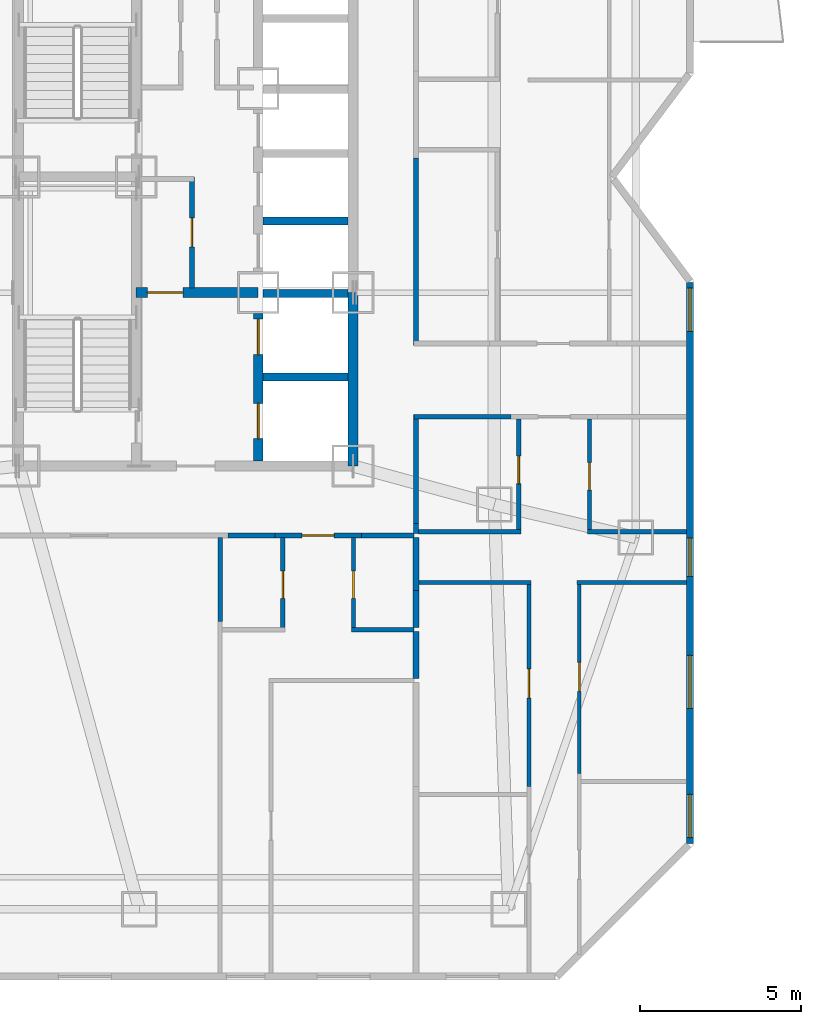
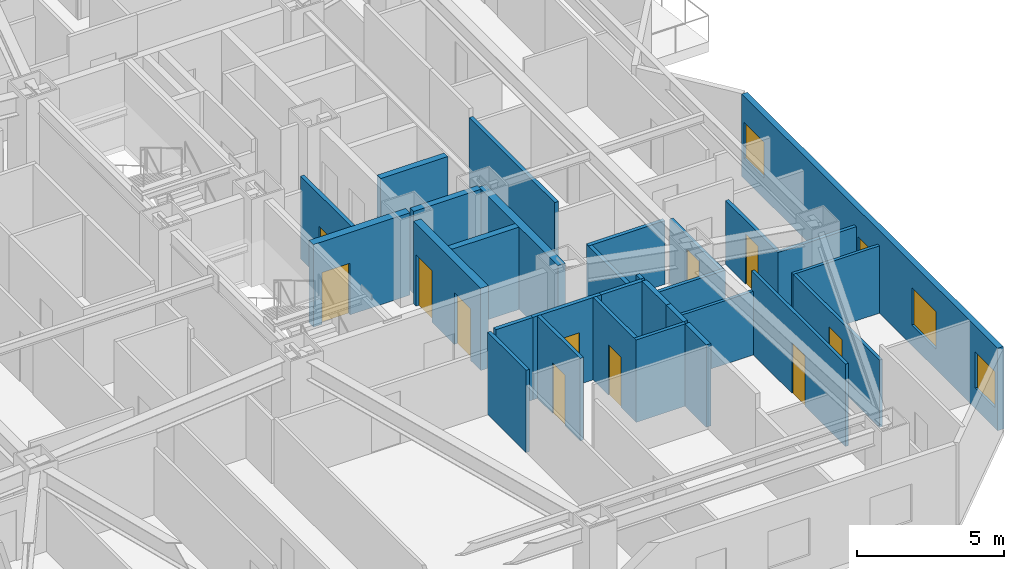
# One storey, part 10 of 16: 30 walls, 11 doors, 4 windows, 15 openings.
"""IFC4 building model written with IfcOpenShell, lengths in metres."""

from ifc_helpers import new_model, si_unit, direction, frame, frame_2d, origin, place, context, subcontext, project, spatial, rectangle, extrude, material, layer, layer_set, type_object, element, fill, save


model = new_model("IFC4")

# Units and contexts
model_context = context("Model", 3, precision=1e-05, world=origin(), true_north=direction((0.0, 1.0)))
body_context = subcontext(model_context, "Body", "Model", "MODEL_VIEW")
ifc_project = project(units=[si_unit("LENGTHUNIT", "METRE"), si_unit("AREAUNIT", "SQUARE_METRE"), si_unit("VOLUMEUNIT", "CUBIC_METRE"), si_unit("PLANEANGLEUNIT", "RADIAN"), si_unit("MASSUNIT", "GRAM", prefix="KILO")], contexts=[model_context])

# Site, building, storey
site_placement = place(None, origin())
site = spatial("IfcSite", under=ifc_project, at=site_placement, CompositionType="ELEMENT")
building_placement = place(site_placement, origin())
building = spatial("IfcBuilding", under=site, at=building_placement, Name="Khamvora Tower", CompositionType="ELEMENT")
storey_placement = place(building_placement, frame((0.0, 0.0, 66.14990234375)))
storey = spatial("IfcBuildingStorey", under=building, at=storey_placement, Name="L16", CompositionType="ELEMENT", Elevation=66.14990234375)

# Wall
ifc_material_1 = material(Name="Concrete C50/60", Category="concrete")
ifc_layer_1 = layer(ifc_material_1, 0.300048828125)
ifc_layer_set_1 = layer_set([ifc_layer_1], Name="Concrete C50/60")
wall_type_1 = type_object("IfcWallType", Name="WAL-CORE-300", PredefinedType="SHEAR", material=ifc_layer_set_1)
wall_1_placement = place(storey_placement, frame((39.39990234375, 19.0, 0.0), z_axis=(0.0, 0.0, 1.0), x_axis=(0.0, 1.0, 0.0)))
element("IfcWall", 1, at=wall_1_placement, inside=storey, type_object=wall_type_1, Name="L16 central core east south wall", PredefinedType="SHEAR", context=body_context, shape_type="SweptSolid", body=[
    extrude(rectangle(XDim=5.39990234375, YDim=0.300048828125, at=frame_2d((2.699951171875, 0.0))), origin(), (0.0, 0.0, 1.0), 3.43017578125),
])

# Wall, opening, door
wall_2_placement = place(storey_placement, frame((32.64990234375, 24.39990234375, 0.0), z_axis=(0.0, 0.0, 1.0), x_axis=(1.0, 0.0, 0.0)))
wall_2 = element("IfcWall", 2, at=wall_2_placement, inside=storey, type_object=wall_type_1, Name="L16 central core firefighting lobby north wall", PredefinedType="SHEAR", context=body_context, shape_type="SweptSolid", body=[
    extrude(rectangle(XDim=3.800048828125, YDim=0.300048828125, at=frame_2d((1.89990234375, 0.0))), origin(), (0.0, 0.0, 1.0), 3.43017578125),
])
opening_1_placement = place(wall_2_placement, frame((0.35009765625, 0.0, 0.0)))
opening_1 = element("IfcOpeningElement", 3, at=opening_1_placement, cuts=wall_2, Name="Opening D-FF1", PredefinedType="OPENING", context=body_context, shape_type="SweptSolid", body=[
    extrude(rectangle(XDim=1.10009765625, YDim=2.14990234375, at=frame_2d((0.550048828125, 1.074951171875))), frame((0.0, 0.159912109375, 0.0), z_axis=(0.0, -1.0, 0.0), x_axis=(1.0, 0.0, 0.0)), (0.0, 0.0, 1.0), 0.320068359375),
])
ifc_material_2 = material(Name="Powder-Coated Steel and Hardwood Leaf", Category="steel")
door_type_1 = type_object("IfcDoorType", Name="DOR-FFLOB-1100", OperationType="NOTDEFINED", PredefinedType="DOOR", material=ifc_material_2)
door_1_placement = place(opening_1_placement, origin())
door_1 = element("IfcDoor", 4, at=door_1_placement, inside=storey, type_object=door_type_1, Name="L16 firefighting lobby smoke-seal fire door", OperationType="SINGLE_SWING_LEFT", OverallHeight=2.14990234375, OverallWidth=1.10009765625, PredefinedType="DOOR", context=body_context, shape_type="SweptSolid", body=[
    extrude(rectangle(XDim=1.10009765625, YDim=2.14990234375, at=frame_2d((0.550048828125, 1.074951171875))), frame((0.0, 0.02490234375, 0.0), z_axis=(0.0, -1.0, 0.0), x_axis=(1.0, 0.0, 0.0)), (0.0, 0.0, 1.0), 0.050048828125),
])
fill(opening_1, door_1)

# Wall, openings, doors
wall_3_placement = place(storey_placement, frame((36.449951171875, 19.154052734375, 0.0), z_axis=(0.0, 0.0, 1.0), x_axis=(0.0, 1.0, 0.0)))
wall_3 = element("IfcWall", 5, at=wall_3_placement, inside=storey, type_object=wall_type_1, Name="L16 central core lift bank south wall", PredefinedType="SHEAR", context=body_context, shape_type="SweptSolid", body=[
    extrude(rectangle(XDim=4.595947265625, YDim=0.300048828125, at=frame_2d((2.2978515625, 0.0))), origin(), (0.0, 0.0, 1.0), 3.43017578125),
])
opening_2_placement = place(wall_3_placement, frame((0.696044921875, 0.0, 0.0)))
opening_2 = element("IfcOpeningElement", 6, at=opening_2_placement, cuts=wall_3, Name="Opening LD-FFL", PredefinedType="OPENING", context=body_context, shape_type="SweptSolid", body=[
    extrude(rectangle(XDim=1.10009765625, YDim=2.14990234375, at=frame_2d((0.550048828125, 1.074951171875))), frame((0.0, 0.159912109375, 0.0), z_axis=(0.0, -1.0, 0.0), x_axis=(1.0, 0.0, 0.0)), (0.0, 0.0, 1.0), 0.320068359375),
])
opening_3_placement = place(wall_3_placement, frame((3.31591796875, 0.0, 0.0)))
opening_3 = element("IfcOpeningElement", 7, at=opening_3_placement, cuts=wall_3, Name="Opening LD-FFL", PredefinedType="OPENING", context=body_context, shape_type="SweptSolid", body=[
    extrude(rectangle(XDim=1.10009765625, YDim=2.14990234375, at=frame_2d((0.550048828125, 1.074951171875))), frame((0.0, 0.159912109375, 0.0), z_axis=(0.0, -1.0, 0.0), x_axis=(1.0, 0.0, 0.0)), (0.0, 0.0, 1.0), 0.320068359375),
])
door_type_2 = type_object("IfcDoorType", Name="DOR-LIFT-1100", OperationType="SLIDING_TO_LEFT", PredefinedType="DOOR", material=ifc_material_2)
door_2_placement = place(opening_2_placement, origin())
door_2 = element("IfcDoor", 8, at=door_2_placement, inside=storey, type_object=door_type_2, Name="L16 lift landing sliding door FFL-01", OperationType="SLIDING_TO_LEFT", OverallHeight=2.14990234375, OverallWidth=1.10009765625, PredefinedType="DOOR", context=body_context, shape_type="SweptSolid", body=[
    extrude(rectangle(XDim=1.10009765625, YDim=2.14990234375, at=frame_2d((0.550048828125, 1.074951171875))), frame((0.0, 0.02490234375, 0.0), z_axis=(0.0, -1.0, 0.0), x_axis=(1.0, 0.0, 0.0)), (0.0, 0.0, 1.0), 0.050048828125),
])
fill(opening_2, door_2)
door_3_placement = place(opening_3_placement, origin())
door_3 = element("IfcDoor", 9, at=door_3_placement, inside=storey, type_object=door_type_2, Name="L16 lift landing sliding door FFL-02", OperationType="SLIDING_TO_LEFT", OverallHeight=2.14990234375, OverallWidth=1.10009765625, PredefinedType="DOOR", context=body_context, shape_type="SweptSolid", body=[
    extrude(rectangle(XDim=1.10009765625, YDim=2.14990234375, at=frame_2d((0.550048828125, 1.074951171875))), frame((0.0, 0.02490234375, 0.0), z_axis=(0.0, -1.0, 0.0), x_axis=(1.0, 0.0, 0.0)), (0.0, 0.0, 1.0), 0.050048828125),
])
fill(opening_3, door_3)

# Wall, opening, door
ifc_material_3 = material(Name="Fire-Rated Drywall and Steel Stud", Category="steel")
ifc_layer_2 = layer(ifc_material_3, 0.14990234375)
ifc_layer_set_2 = layer_set([ifc_layer_2], Name="Fire-Rated Drywall and Steel Stud")
wall_type_2 = type_object("IfcWallType", Name="WAL-CORR-150", PredefinedType="STANDARD", material=ifc_layer_set_2)
wall_4_placement = place(storey_placement, frame((34.385009765625, 24.5439453125, 0.0), z_axis=(0.0, 0.0, 1.0), x_axis=(0.0, 1.0, 0.0)))
wall_4 = element("IfcWall", 10, at=wall_4_placement, inside=storey, type_object=wall_type_2, Name="L16 interior partition wall 006", PredefinedType="STANDARD", context=body_context, shape_type="SweptSolid", body=[
    extrude(rectangle(XDim=3.4560546875, YDim=0.14990234375, at=frame_2d((1.72802734375, 0.0))), origin(), (0.0, 0.0, 1.0), 3.43017578125),
])
opening_4_placement = place(wall_4_placement, frame((1.278076171875, 0.0, 0.0)))
opening_4 = element("IfcOpeningElement", 11, at=opening_4_placement, cuts=wall_4, Name="Opening D-RM1", PredefinedType="OPENING", context=body_context, shape_type="SweptSolid", body=[
    extrude(rectangle(XDim=0.89990234375, YDim=2.10009765625, at=frame_2d((0.449951171875, 1.050048828125))), frame((0.0, 0.0849609375, 0.0), z_axis=(0.0, -1.0, 0.0), x_axis=(1.0, 0.0, 0.0)), (0.0, 0.0, 1.0), 0.169921875),
])
door_type_3 = type_object("IfcDoorType", Name="DOR-ROOM-900", OperationType="NOTDEFINED", PredefinedType="DOOR", material=ifc_material_2)
door_4_placement = place(opening_4_placement, origin())
door_4 = element("IfcDoor", 12, at=door_4_placement, inside=storey, type_object=door_type_3, Name="L16 interior door PLL-CS3", OperationType="SINGLE_SWING_RIGHT", OverallHeight=2.10009765625, OverallWidth=0.89990234375, PredefinedType="DOOR", context=body_context, shape_type="SweptSolid", body=[
    extrude(rectangle(XDim=0.89990234375, YDim=2.10009765625, at=frame_2d((0.449951171875, 1.050048828125))), frame((0.0, 0.02490234375, 0.0), z_axis=(0.0, -1.0, 0.0), x_axis=(1.0, 0.0, 0.0)), (0.0, 0.0, 1.0), 0.050048828125),
])
fill(opening_4, door_4)

wall_5_placement = place(storey_placement, frame((39.6640625, 16.8349609375, 0.0), z_axis=(0.0, 0.0, 1.0), x_axis=(-1.0, 0.0, 0.0)))
wall_5 = element("IfcWall", 13, at=wall_5_placement, inside=storey, type_object=wall_type_2, Name="L16 interior partition wall 029", PredefinedType="STANDARD", context=body_context, shape_type="SweptSolid", body=[
    extrude(rectangle(XDim=2.697998046875, YDim=0.14990234375, at=frame_2d((1.34912109375, 0.0))), origin(), (0.0, 0.0, 1.0), 3.43017578125),
])
opening_5_placement = place(wall_5_placement, frame((0.84912109375, 0.0, 0.0)))
opening_5 = element("IfcOpeningElement", 14, at=opening_5_placement, cuts=wall_5, Name="Opening D-U1", PredefinedType="OPENING", context=body_context, shape_type="SweptSolid", body=[
    extrude(rectangle(XDim=1.0, YDim=2.14990234375, at=frame_2d((0.5, 1.074951171875))), frame((0.0, 0.0849609375, 0.0), z_axis=(0.0, -1.0, 0.0), x_axis=(1.0, 0.0, 0.0)), (0.0, 0.0, 1.0), 0.169921875),
])
door_type_4 = type_object("IfcDoorType", Name="DOR-UNIT-1000", OperationType="NOTDEFINED", PredefinedType="DOOR", material=ifc_material_2)
door_5_placement = place(opening_5_placement, origin())
door_5 = element("IfcDoor", 15, at=door_5_placement, inside=storey, type_object=door_type_4, Name="L16 interior door COR-16SAH", OperationType="SINGLE_SWING_LEFT", OverallHeight=2.14990234375, OverallWidth=1.0, PredefinedType="DOOR", context=body_context, shape_type="SweptSolid", body=[
    extrude(rectangle(XDim=1.0, YDim=2.14990234375, at=frame_2d((0.5, 1.074951171875))), frame((0.0, 0.02490234375, 0.0), z_axis=(0.0, -1.0, 0.0), x_axis=(1.0, 0.0, 0.0)), (0.0, 0.0, 1.0), 0.050048828125),
])
fill(opening_5, door_5)

# Walls
wall_6_placement = place(storey_placement, frame((36.966064453125, 16.8349609375, 0.0), z_axis=(0.0, 0.0, 1.0), x_axis=(-1.0, 0.0, 0.0)))
element("IfcWall", 16, at=wall_6_placement, inside=storey, type_object=wall_type_2, Name="L16 interior partition wall 030", PredefinedType="STANDARD", context=body_context, shape_type="SweptSolid", body=[
    extrude(rectangle(XDim=1.4521484375, YDim=0.14990234375, at=frame_2d((0.72607421875, 0.0))), origin(), (0.0, 0.0, 1.0), 3.43017578125),
])
wall_7_placement = place(storey_placement, frame((41.300048828125, 16.8349609375, 0.0), z_axis=(0.0, 0.0, 1.0), x_axis=(-1.0, 0.0, 0.0)))
element("IfcWall", 17, at=wall_7_placement, inside=storey, type_object=wall_type_2, Name="L16 interior partition wall 031", PredefinedType="STANDARD", context=body_context, shape_type="SweptSolid", body=[
    extrude(rectangle(XDim=1.635986328125, YDim=0.14990234375, at=frame_2d((0.81787109375, 0.0))), origin(), (0.0, 0.0, 1.0), 3.43017578125),
])
wall_8_placement = place(storey_placement, frame((41.364990234375, 17.2041015625, 0.0), z_axis=(0.0, 0.0, 1.0), x_axis=(0.0, -1.0, 0.0)))
element("IfcWall", 18, at=wall_8_placement, inside=storey, type_object=wall_type_2, Name="L16 interior partition wall 036", PredefinedType="STANDARD", context=body_context, shape_type="SweptSolid", body=[
    extrude(rectangle(XDim=0.30419921875, YDim=0.14990234375, at=frame_2d((0.152099609375, 0.0))), origin(), (0.0, 0.0, 1.0), 3.43017578125),
])
wall_9_placement = place(storey_placement, frame((44.31103515625, 20.534912109375, 0.0), z_axis=(0.0, 0.0, 1.0), x_axis=(-1.0, 0.0, 0.0)))
element("IfcWall", 19, at=wall_9_placement, inside=storey, type_object=wall_type_2, Name="L16 interior partition wall 037", PredefinedType="STANDARD", context=body_context, shape_type="SweptSolid", body=[
    extrude(rectangle(XDim=3.010986328125, YDim=0.14990234375, at=frame_2d((1.50537109375, 0.0))), origin(), (0.0, 0.0, 1.0), 2.647216796875),
])
wall_10_placement = place(storey_placement, frame((41.364990234375, 20.60009765625, 0.0), z_axis=(0.0, 0.0, 1.0), x_axis=(0.0, -1.0, 0.0)))
element("IfcWall", 20, at=wall_10_placement, inside=storey, type_object=wall_type_2, Name="L16 interior partition wall 038", PredefinedType="STANDARD", context=body_context, shape_type="SweptSolid", body=[
    extrude(rectangle(XDim=3.39599609375, YDim=0.14990234375, at=frame_2d((1.697998046875, 0.0))), origin(), (0.0, 0.0, 1.0), 2.647216796875),
])
wall_11_placement = place(storey_placement, frame((41.364990234375, 28.592041015625, 0.0), z_axis=(0.0, 0.0, 1.0), x_axis=(0.0, -1.0, 0.0)))
element("IfcWall", 21, at=wall_11_placement, inside=storey, type_object=wall_type_2, Name="L16 interior partition wall 044", PredefinedType="STANDARD", context=body_context, shape_type="SweptSolid", body=[
    extrude(rectangle(XDim=5.842041015625, YDim=0.14990234375, at=frame_2d((2.9208984375, 0.0))), origin(), (0.0, 0.0, 1.0), 3.065185546875),
])
ifc_material_4 = material(Name="Acoustic Double-Stud Fire Wall", Category="gypsum")
ifc_layer_3 = layer(ifc_material_4, 0.179931640625)
ifc_layer_set_3 = layer_set([ifc_layer_3], Name="Acoustic Double-Stud Fire Wall")
wall_type_3 = type_object("IfcWallType", Name="WAL-CORR-180", PredefinedType="STANDARD", material=ifc_layer_set_3)
wall_12_placement = place(storey_placement, frame((41.364990234375, 13.841064453125, 0.0), z_axis=(0.0, 0.0, 1.0), x_axis=(0.0, -1.0, 0.0)))
element("IfcWall", 22, at=wall_12_placement, inside=storey, type_object=wall_type_3, Name="L16 interior partition wall 132", PredefinedType="STANDARD", context=body_context, shape_type="SweptSolid", body=[
    extrude(rectangle(XDim=1.449951171875, YDim=0.179931640625, at=frame_2d((0.72509765625, 0.0))), origin(), (0.0, 0.0, 1.0), 3.43017578125),
])
wall_13_placement = place(storey_placement, frame((41.364990234375, 16.77001953125, 0.0), z_axis=(0.0, 0.0, 1.0), x_axis=(0.0, -1.0, 0.0)))
element("IfcWall", 23, at=wall_13_placement, inside=storey, type_object=wall_type_3, Name="L16 interior partition wall 133", PredefinedType="STANDARD", context=body_context, shape_type="SweptSolid", body=[
    extrude(rectangle(XDim=1.64404296875, YDim=0.179931640625, at=frame_2d((0.822021484375, 0.0))), origin(), (0.0, 0.0, 1.0), 3.43017578125),
])
wall_14_placement = place(storey_placement, frame((41.364990234375, 15.1259765625, 0.0), z_axis=(0.0, 0.0, 1.0), x_axis=(0.0, -1.0, 0.0)))
element("IfcWall", 24, at=wall_14_placement, inside=storey, type_object=wall_type_3, Name="L16 interior partition wall 134", PredefinedType="STANDARD", context=body_context, shape_type="SweptSolid", body=[
    extrude(rectangle(XDim=1.155029296875, YDim=0.179931640625, at=frame_2d((0.57763671875, 0.0))), origin(), (0.0, 0.0, 1.0), 3.43017578125),
])

# Wall, openings, windows
ifc_material_5 = material(Name="Precast concrete C40/50", Category="concrete")
ifc_layer_4 = layer(ifc_material_5, 0.219970703125)
ifc_layer_set_4 = layer_set([ifc_layer_4], Name="Precast concrete C40/50")
wall_type_4 = type_object("IfcWallType", Name="WAL-EXT-220", PredefinedType="STANDARD", material=ifc_layer_set_4)
wall_15_placement = place(storey_placement, frame((49.889892578125, 24.70703125, 0.0), z_axis=(0.0, 0.0, 1.0), x_axis=(0.0, -1.0, 0.0)))
wall_15 = element("IfcWall", 25, at=wall_15_placement, inside=storey, type_object=wall_type_4, Name="L16 exterior facade wall 12.1", PredefinedType="STANDARD", context=body_context, shape_type="SweptSolid", body=[
    extrude(rectangle(XDim=17.4609375, YDim=0.219970703125, at=frame_2d((8.73046875, 0.0))), origin(), (0.0, 0.0, 1.0), 3.43017578125),
])
opening_6_placement = place(wall_15_placement, frame((7.94189453125, 0.0, 0.800048828125)))
opening_6 = element("IfcOpeningElement", 26, at=opening_6_placement, cuts=wall_15, Name="Opening WN-03", PredefinedType="OPENING", context=body_context, shape_type="SweptSolid", body=[
    extrude(rectangle(XDim=1.199951171875, YDim=1.5, at=frame_2d((0.60009765625, 0.75))), frame((0.0, 0.119873046875, 0.0), z_axis=(0.0, -1.0, 0.0), x_axis=(1.0, 0.0, 0.0)), (0.0, 0.0, 1.0), 0.239990234375),
])
opening_7_placement = place(wall_15_placement, frame((15.926025390625, 0.0, 0.85009765625)))
opening_7 = element("IfcOpeningElement", 27, at=opening_7_placement, cuts=wall_15, Name="Opening WN-07", PredefinedType="OPENING", context=body_context, shape_type="SweptSolid", body=[
    extrude(rectangle(XDim=1.35009765625, YDim=1.5, at=frame_2d((0.675048828125, 0.75))), frame((0.0, 0.119873046875, 0.0), z_axis=(0.0, -1.0, 0.0), x_axis=(1.0, 0.0, 0.0)), (0.0, 0.0, 1.0), 0.239990234375),
])
opening_8_placement = place(wall_15_placement, frame((11.60400390625, 0.0, 0.85009765625)))
opening_8 = element("IfcOpeningElement", 28, at=opening_8_placement, cuts=wall_15, Name="Opening WN-06", PredefinedType="OPENING", context=body_context, shape_type="SweptSolid", body=[
    extrude(rectangle(XDim=1.64990234375, YDim=1.550048828125, at=frame_2d((0.824951171875, 0.77490234375))), frame((0.0, 0.119873046875, 0.0), z_axis=(0.0, -1.0, 0.0), x_axis=(1.0, 0.0, 0.0)), (0.0, 0.0, 1.0), 0.239990234375),
])
opening_9_placement = place(wall_15_placement, frame((0.1630859375, 0.0, 0.85009765625)))
opening_9 = element("IfcOpeningElement", 29, at=opening_9_placement, cuts=wall_15, Name="Opening WN-07", PredefinedType="OPENING", context=body_context, shape_type="SweptSolid", body=[
    extrude(rectangle(XDim=1.35009765625, YDim=1.5, at=frame_2d((0.675048828125, 0.75))), frame((0.0, 0.119873046875, 0.0), z_axis=(0.0, -1.0, 0.0), x_axis=(1.0, 0.0, 0.0)), (0.0, 0.0, 1.0), 0.239990234375),
])
ifc_material_6 = material(Name="Low-E Laminated Double Glazing", Category="glass")
window_type_1 = type_object("IfcWindowType", Name="WIN-VIS-1200x1500", PartitioningType="SINGLE_PANEL", PredefinedType="WINDOW", material=ifc_material_6)
window_1_placement = place(opening_6_placement, origin())
window_1 = element("IfcWindow", 30, at=window_1_placement, inside=storey, type_object=window_type_1, Name="L16 vision window 12.1.01", OverallHeight=1.5, OverallWidth=1.199951171875, PartitioningType="SINGLE_PANEL", PredefinedType="WINDOW", context=body_context, shape_type="SweptSolid", body=[
    extrude(rectangle(XDim=1.199951171875, YDim=1.5, at=frame_2d((0.60009765625, 0.75))), frame((0.0, 0.030029296875, 0.0), z_axis=(0.0, -1.0, 0.0), x_axis=(1.0, 0.0, 0.0)), (0.0, 0.0, 1.0), 0.06005859375),
])
fill(opening_6, window_1)
window_type_2 = type_object("IfcWindowType", Name="WIN-VIS-1350x1500", PartitioningType="SINGLE_PANEL", PredefinedType="WINDOW", material=ifc_material_6)
window_2_placement = place(opening_7_placement, origin())
window_2 = element("IfcWindow", 31, at=window_2_placement, inside=storey, type_object=window_type_2, Name="L16 vision window 12.1.02", OverallHeight=1.5, OverallWidth=1.35009765625, PartitioningType="SINGLE_PANEL", PredefinedType="WINDOW", context=body_context, shape_type="SweptSolid", body=[
    extrude(rectangle(XDim=1.35009765625, YDim=1.5, at=frame_2d((0.675048828125, 0.75))), frame((0.0, 0.030029296875, 0.0), z_axis=(0.0, -1.0, 0.0), x_axis=(1.0, 0.0, 0.0)), (0.0, 0.0, 1.0), 0.06005859375),
])
fill(opening_7, window_2)
window_3_placement = place(opening_9_placement, origin())
window_3 = element("IfcWindow", 32, at=window_3_placement, inside=storey, type_object=window_type_2, Name="L16 vision window 12.1.04", OverallHeight=1.5, OverallWidth=1.35009765625, PartitioningType="SINGLE_PANEL", PredefinedType="WINDOW", context=body_context, shape_type="SweptSolid", body=[
    extrude(rectangle(XDim=1.35009765625, YDim=1.5, at=frame_2d((0.675048828125, 0.75))), frame((0.0, 0.030029296875, 0.0), z_axis=(0.0, -1.0, 0.0), x_axis=(1.0, 0.0, 0.0)), (0.0, 0.0, 1.0), 0.06005859375),
])
fill(opening_9, window_3)
window_type_3 = type_object("IfcWindowType", Name="WIN-VIS-1650x1550", PartitioningType="SINGLE_PANEL", PredefinedType="WINDOW", material=ifc_material_6)
window_4_placement = place(opening_8_placement, origin())
window_4 = element("IfcWindow", 33, at=window_4_placement, inside=storey, type_object=window_type_3, Name="L16 vision window 12.1.03", OverallHeight=1.550048828125, OverallWidth=1.64990234375, PartitioningType="SINGLE_PANEL", PredefinedType="WINDOW", context=body_context, shape_type="SweptSolid", body=[
    extrude(rectangle(XDim=1.64990234375, YDim=1.550048828125, at=frame_2d((0.824951171875, 0.77490234375))), frame((0.0, 0.030029296875, 0.0), z_axis=(0.0, -1.0, 0.0), x_axis=(1.0, 0.0, 0.0)), (0.0, 0.0, 1.0), 0.06005859375),
])
fill(opening_8, window_4)

# Wall, opening, door
ifc_material_7 = material(Name="Gypsum Plasterboard Partition", Category="gypsum")
ifc_layer_5 = layer(ifc_material_7, 0.1201171875)
ifc_layer_set_5 = layer_set([ifc_layer_5], Name="Gypsum Plasterboard Partition")
wall_type_5 = type_object("IfcWallType", Name="WAL-PART-120", PredefinedType="PARTITIONING", material=ifc_layer_set_5)
wall_16_placement = place(storey_placement, frame((44.875, 9.02587890625, 0.0), z_axis=(0.0, 0.0, 1.0), x_axis=(0.0, 1.0, 0.0)))
wall_16 = element("IfcWall", 34, at=wall_16_placement, inside=storey, type_object=wall_type_5, Name="L16 interior partition wall 153", PredefinedType="PARTITIONING", context=body_context, shape_type="SweptSolid", body=[
    extrude(rectangle(XDim=6.4140625, YDim=0.1201171875, at=frame_2d((3.20703125, 0.0))), origin(), (0.0, 0.0, 1.0), 3.43017578125),
])
opening_10_placement = place(wall_16_placement, frame((2.757080078125, 0.0, 0.0)))
opening_10 = element("IfcOpeningElement", 35, at=opening_10_placement, cuts=wall_16, Name="Opening D-RM1", PredefinedType="OPENING", context=body_context, shape_type="SweptSolid", body=[
    extrude(rectangle(XDim=0.89990234375, YDim=2.10009765625, at=frame_2d((0.449951171875, 1.050048828125))), frame((0.0, 0.070068359375, 0.0), z_axis=(0.0, -1.0, 0.0), x_axis=(1.0, 0.0, 0.0)), (0.0, 0.0, 1.0), 0.14013671875),
])
door_6_placement = place(opening_10_placement, origin())
door_6 = element("IfcDoor", 36, at=door_6_placement, inside=storey, type_object=door_type_3, Name="L16 interior door 16EAH-16EAR2", OperationType="SINGLE_SWING_LEFT", OverallHeight=2.10009765625, OverallWidth=0.89990234375, PredefinedType="DOOR", context=body_context, shape_type="SweptSolid", body=[
    extrude(rectangle(XDim=0.89990234375, YDim=2.10009765625, at=frame_2d((0.449951171875, 1.050048828125))), frame((0.0, 0.02490234375, 0.0), z_axis=(0.0, -1.0, 0.0), x_axis=(1.0, 0.0, 0.0)), (0.0, 0.0, 1.0), 0.050048828125),
])
fill(opening_10, door_6)

# Walls
wall_17_placement = place(storey_placement, frame((44.93994140625, 15.375, 0.0), z_axis=(0.0, 0.0, 1.0), x_axis=(-1.0, 0.0, 0.0)))
element("IfcWall", 37, at=wall_17_placement, inside=storey, type_object=wall_type_5, Name="L16 interior partition wall 154", PredefinedType="PARTITIONING", context=body_context, shape_type="SweptSolid", body=[
    extrude(rectangle(XDim=3.492919921875, YDim=0.1201171875, at=frame_2d((1.74658203125, 0.0))), origin(), (0.0, 0.0, 1.0), 2.647216796875),
])
wall_18_placement = place(storey_placement, frame((49.7880859375, 15.375, 0.0), z_axis=(0.0, 0.0, 1.0), x_axis=(-1.0, 0.0, 0.0)))
element("IfcWall", 38, at=wall_18_placement, inside=storey, type_object=wall_type_5, Name="L16 interior partition wall 156", PredefinedType="PARTITIONING", context=body_context, shape_type="SweptSolid", body=[
    extrude(rectangle(XDim=3.408203125, YDim=0.1201171875, at=frame_2d((1.7041015625, 0.0))), origin(), (0.0, 0.0, 1.0), 2.802978515625),
])

# Wall, opening, door
wall_19_placement = place(storey_placement, frame((46.445068359375, 15.43994140625, 0.0), z_axis=(0.0, 0.0, 1.0), x_axis=(0.0, -1.0, 0.0)))
wall_19 = element("IfcWall", 39, at=wall_19_placement, inside=storey, type_object=wall_type_5, Name="L16 interior partition wall 157", PredefinedType="PARTITIONING", context=body_context, shape_type="SweptSolid", body=[
    extrude(rectangle(XDim=6.009033203125, YDim=0.1201171875, at=frame_2d((3.00439453125, 0.0))), origin(), (0.0, 0.0, 1.0), 2.802978515625),
])
opening_11_placement = place(wall_19_placement, frame((2.553955078125, 0.0, 0.0)))
opening_11 = element("IfcOpeningElement", 40, at=opening_11_placement, cuts=wall_19, Name="Opening D-RM1", PredefinedType="OPENING", context=body_context, shape_type="SweptSolid", body=[
    extrude(rectangle(XDim=0.89990234375, YDim=2.10009765625, at=frame_2d((0.449951171875, 1.050048828125))), frame((0.0, 0.070068359375, 0.0), z_axis=(0.0, -1.0, 0.0), x_axis=(1.0, 0.0, 0.0)), (0.0, 0.0, 1.0), 0.14013671875),
])
door_7_placement = place(opening_11_placement, origin())
door_7 = element("IfcDoor", 41, at=door_7_placement, inside=storey, type_object=door_type_3, Name="L16 interior door 16EAH-16EAR4", OperationType="SINGLE_SWING_LEFT", OverallHeight=2.10009765625, OverallWidth=0.89990234375, PredefinedType="DOOR", context=body_context, shape_type="SweptSolid", body=[
    extrude(rectangle(XDim=0.89990234375, YDim=2.10009765625, at=frame_2d((0.449951171875, 1.050048828125))), frame((0.0, 0.02490234375, 0.0), z_axis=(0.0, -1.0, 0.0), x_axis=(1.0, 0.0, 0.0)), (0.0, 0.0, 1.0), 0.050048828125),
])
fill(opening_11, door_7)

# Walls
ifc_material_8 = material(Name="Concrete C40/50", Category="concrete")
ifc_layer_6 = layer(ifc_material_8, 0.25)
ifc_layer_set_6 = layer_set([ifc_layer_6], Name="Concrete C40/50")
wall_type_6 = type_object("IfcWallType", Name="WAL-PODS-250", PredefinedType="SHEAR", material=ifc_layer_set_6)
for number, where, z_axis, x_axis, name in (
    (42, (36.60400390625, 21.77490234375, 0.0), (0.0, 0.0, 1.0), (1.0, 0.0, 0.0), "L16 lift shaft divider wall FFL-01"),
    (43, (36.60400390625, 24.375, 0.0), (0.0, 0.0, 1.0), (1.0, 0.0, 0.0), "L16 lift shaft divider wall FFL-02"),
    (44, (36.60400390625, 26.625, 0.0), (0.0, 0.0, 1.0), (1.0, 0.0, 0.0), "L16 lift shaft divider wall PL-01"),
):
    element("IfcWall", number, at=place(storey_placement, frame(where, z_axis=z_axis, x_axis=x_axis)), inside=storey, type_object=wall_type_6, Name=name, PredefinedType="SHEAR", context=body_context, shape_type="SweptSolid", body=[
        extrude(rectangle(XDim=2.64208984375, YDim=0.25, at=frame_2d((1.321044921875, 0.0))), origin(), (0.0, 0.0, 1.0), 3.43017578125),
    ])
ifc_material_9 = material(Name="Moisture-Resistant Plasterboard Partition", Category="gypsum")
ifc_layer_7 = layer(ifc_material_9, 0.135009765625)
ifc_layer_set_7 = layer_set([ifc_layer_7], Name="Moisture-Resistant Plasterboard Partition")
wall_type_7 = type_object("IfcWallType", Name="WAL-WET-135", PredefinedType="PARTITIONING", material=ifc_layer_set_7)
wall_20_placement = place(storey_placement, frame((35.264892578125, 16.77001953125, 0.0), z_axis=(0.0, 0.0, 1.0), x_axis=(0.0, -1.0, 0.0)))
element("IfcWall", 45, at=wall_20_placement, inside=storey, type_object=wall_type_7, Name="L16 interior partition wall 049", PredefinedType="PARTITIONING", context=body_context, shape_type="SweptSolid", body=[
    extrude(rectangle(XDim=2.614990234375, YDim=0.135009765625, at=frame_2d((1.3076171875, 0.0))), origin(), (0.0, 0.0, 1.0), 3.43017578125),
])

# Wall, opening, door
wall_21_placement = place(storey_placement, frame((37.215087890625, 13.841064453125, 0.0), z_axis=(0.0, 0.0, 1.0), x_axis=(0.0, 1.0, 0.0)))
wall_21 = element("IfcWall", 46, at=wall_21_placement, inside=storey, type_object=wall_type_7, Name="L16 interior partition wall 127", PredefinedType="PARTITIONING", context=body_context, shape_type="SweptSolid", body=[
    extrude(rectangle(XDim=2.928955078125, YDim=0.135009765625, at=frame_2d((1.46435546875, 0.0))), origin(), (0.0, 0.0, 1.0), 3.43017578125),
])
opening_12_placement = place(wall_21_placement, frame((1.0390625, 0.0, 0.0)))
opening_12 = element("IfcOpeningElement", 47, at=opening_12_placement, cuts=wall_21, Name="Opening D-WC1", PredefinedType="OPENING", context=body_context, shape_type="SweptSolid", body=[
    extrude(rectangle(XDim=0.85009765625, YDim=2.10009765625, at=frame_2d((0.425048828125, 1.050048828125))), frame((0.0, 0.077392578125, 0.0), z_axis=(0.0, -1.0, 0.0), x_axis=(1.0, 0.0, 0.0)), (0.0, 0.0, 1.0), 0.155029296875),
])
door_type_5 = type_object("IfcDoorType", Name="DOR-WET-850", OperationType="NOTDEFINED", PredefinedType="DOOR", material=ifc_material_2)
door_8_placement = place(opening_12_placement, origin())
door_8 = element("IfcDoor", 48, at=door_8_placement, inside=storey, type_object=door_type_5, Name="L16 interior door 16SAH-16SAB", OperationType="SINGLE_SWING_LEFT", OverallHeight=2.10009765625, OverallWidth=0.85009765625, PredefinedType="DOOR", context=body_context, shape_type="SweptSolid", body=[
    extrude(rectangle(XDim=0.85009765625, YDim=2.10009765625, at=frame_2d((0.425048828125, 1.050048828125))), frame((0.0, 0.02490234375, 0.0), z_axis=(0.0, -1.0, 0.0), x_axis=(1.0, 0.0, 0.0)), (0.0, 0.0, 1.0), 0.050048828125),
])
fill(opening_12, door_8)

wall_22_placement = place(storey_placement, frame((39.4150390625, 16.77001953125, 0.0), z_axis=(0.0, 0.0, 1.0), x_axis=(0.0, -1.0, 0.0)))
wall_22 = element("IfcWall", 49, at=wall_22_placement, inside=storey, type_object=wall_type_7, Name="L16 interior partition wall 128", PredefinedType="PARTITIONING", context=body_context, shape_type="SweptSolid", body=[
    extrude(rectangle(XDim=2.928955078125, YDim=0.135009765625, at=frame_2d((1.46435546875, 0.0))), origin(), (0.0, 0.0, 1.0), 3.43017578125),
])
opening_13_placement = place(wall_22_placement, frame((1.0390625, 0.0, 0.0)))
opening_13 = element("IfcOpeningElement", 50, at=opening_13_placement, cuts=wall_22, Name="Opening D-RM2", PredefinedType="OPENING", context=body_context, shape_type="SweptSolid", body=[
    extrude(rectangle(XDim=0.85009765625, YDim=2.10009765625, at=frame_2d((0.425048828125, 1.050048828125))), frame((0.0, 0.077392578125, 0.0), z_axis=(0.0, -1.0, 0.0), x_axis=(1.0, 0.0, 0.0)), (0.0, 0.0, 1.0), 0.155029296875),
])
door_type_6 = type_object("IfcDoorType", Name="DOR-ROOM-850", OperationType="NOTDEFINED", PredefinedType="DOOR", material=ifc_material_2)
door_9_placement = place(opening_13_placement, origin())
door_9 = element("IfcDoor", 51, at=door_9_placement, inside=storey, type_object=door_type_6, Name="L16 interior door 16SAH-16SAK", OperationType="SINGLE_SWING_RIGHT", OverallHeight=2.10009765625, OverallWidth=0.85009765625, PredefinedType="DOOR", context=body_context, shape_type="SweptSolid", body=[
    extrude(rectangle(XDim=0.85009765625, YDim=2.10009765625, at=frame_2d((0.425048828125, 1.050048828125))), frame((0.0, 0.02490234375, 0.0), z_axis=(0.0, -1.0, 0.0), x_axis=(1.0, 0.0, 0.0)), (0.0, 0.0, 1.0), 0.050048828125),
])
fill(opening_13, door_9)

# Walls
wall_23_placement = place(storey_placement, frame((39.35009765625, 13.906005859375, 0.0), z_axis=(0.0, 0.0, 1.0), x_axis=(1.0, 0.0, 0.0)))
element("IfcWall", 52, at=wall_23_placement, inside=storey, type_object=wall_type_7, Name="L16 interior partition wall 129", PredefinedType="PARTITIONING", context=body_context, shape_type="SweptSolid", body=[
    extrude(rectangle(XDim=1.949951171875, YDim=0.135009765625, at=frame_2d((0.97509765625, 0.0))), origin(), (0.0, 0.0, 1.0), 3.43017578125),
])
wall_24_placement = place(storey_placement, frame((41.431884765625, 16.955078125, 0.0), z_axis=(0.0, 0.0, 1.0), x_axis=(1.0, 0.0, 0.0)))
element("IfcWall", 53, at=wall_24_placement, inside=storey, type_object=wall_type_7, Name="L16 interior partition wall 148", PredefinedType="PARTITIONING", context=body_context, shape_type="SweptSolid", body=[
    extrude(rectangle(XDim=3.193115234375, YDim=0.135009765625, at=frame_2d((1.5966796875, 0.0))), origin(), (0.0, 0.0, 1.0), 2.647216796875),
])

# Wall, opening, door
wall_25_placement = place(storey_placement, frame((44.56005859375, 16.889892578125, 0.0), z_axis=(0.0, 0.0, 1.0), x_axis=(0.0, 1.0, 0.0)))
wall_25 = element("IfcWall", 54, at=wall_25_placement, inside=storey, type_object=wall_type_7, Name="L16 interior partition wall 149", PredefinedType="PARTITIONING", context=body_context, shape_type="SweptSolid", body=[
    extrude(rectangle(XDim=3.580078125, YDim=0.135009765625, at=frame_2d((1.7900390625, 0.0))), origin(), (0.0, 0.0, 1.0), 2.647216796875),
])
opening_14_placement = place(wall_25_placement, frame((1.56494140625, 0.0, 0.0)))
opening_14 = element("IfcOpeningElement", 55, at=opening_14_placement, cuts=wall_25, Name="Opening D-WC1", PredefinedType="OPENING", context=body_context, shape_type="SweptSolid", body=[
    extrude(rectangle(XDim=0.85009765625, YDim=2.10009765625, at=frame_2d((0.425048828125, 1.050048828125))), frame((0.0, 0.077392578125, 0.0), z_axis=(0.0, -1.0, 0.0), x_axis=(1.0, 0.0, 0.0)), (0.0, 0.0, 1.0), 0.155029296875),
])
door_10_placement = place(opening_14_placement, origin())
door_10 = element("IfcDoor", 56, at=door_10_placement, inside=storey, type_object=door_type_5, Name="L16 interior door 16EAH-16EAB", OperationType="SINGLE_SWING_RIGHT", OverallHeight=2.10009765625, OverallWidth=0.85009765625, PredefinedType="DOOR", context=body_context, shape_type="SweptSolid", body=[
    extrude(rectangle(XDim=0.85009765625, YDim=2.10009765625, at=frame_2d((0.425048828125, 1.050048828125))), frame((0.0, 0.02490234375, 0.0), z_axis=(0.0, -1.0, 0.0), x_axis=(1.0, 0.0, 0.0)), (0.0, 0.0, 1.0), 0.050048828125),
])
fill(opening_14, door_10)

wall_26_placement = place(storey_placement, frame((46.760009765625, 20.469970703125, 0.0), z_axis=(0.0, 0.0, 1.0), x_axis=(0.0, -1.0, 0.0)))
wall_26 = element("IfcWall", 57, at=wall_26_placement, inside=storey, type_object=wall_type_7, Name="L16 interior partition wall 150", PredefinedType="PARTITIONING", context=body_context, shape_type="SweptSolid", body=[
    extrude(rectangle(XDim=3.580078125, YDim=0.135009765625, at=frame_2d((1.7900390625, 0.0))), origin(), (0.0, 0.0, 1.0), 2.647216796875),
])
opening_15_placement = place(wall_26_placement, frame((1.364990234375, 0.0, 0.0)))
opening_15 = element("IfcOpeningElement", 58, at=opening_15_placement, cuts=wall_26, Name="Opening D-RM2", PredefinedType="OPENING", context=body_context, shape_type="SweptSolid", body=[
    extrude(rectangle(XDim=0.85009765625, YDim=2.10009765625, at=frame_2d((0.425048828125, 1.050048828125))), frame((0.0, 0.077392578125, 0.0), z_axis=(0.0, -1.0, 0.0), x_axis=(1.0, 0.0, 0.0)), (0.0, 0.0, 1.0), 0.155029296875),
])
door_11_placement = place(opening_15_placement, origin())
door_11 = element("IfcDoor", 59, at=door_11_placement, inside=storey, type_object=door_type_6, Name="L16 interior door 16EAH-16EAK", OperationType="SINGLE_SWING_LEFT", OverallHeight=2.10009765625, OverallWidth=0.85009765625, PredefinedType="DOOR", context=body_context, shape_type="SweptSolid", body=[
    extrude(rectangle(XDim=0.85009765625, YDim=2.10009765625, at=frame_2d((0.425048828125, 1.050048828125))), frame((0.0, 0.02490234375, 0.0), z_axis=(0.0, -1.0, 0.0), x_axis=(1.0, 0.0, 0.0)), (0.0, 0.0, 1.0), 0.050048828125),
])
fill(opening_15, door_11)

# Wall
wall_27_placement = place(storey_placement, frame((46.695068359375, 16.955078125, 0.0), z_axis=(0.0, 0.0, 1.0), x_axis=(1.0, 0.0, 0.0)))
element("IfcWall", 60, at=wall_27_placement, inside=storey, type_object=wall_type_7, Name="L16 interior partition wall 151", PredefinedType="PARTITIONING", context=body_context, shape_type="SweptSolid", body=[
    extrude(rectangle(XDim=3.093017578125, YDim=0.135009765625, at=frame_2d((1.54638671875, 0.0))), origin(), (0.0, 0.0, 1.0), 2.647216796875),
])

save(model, "model.ifc")
